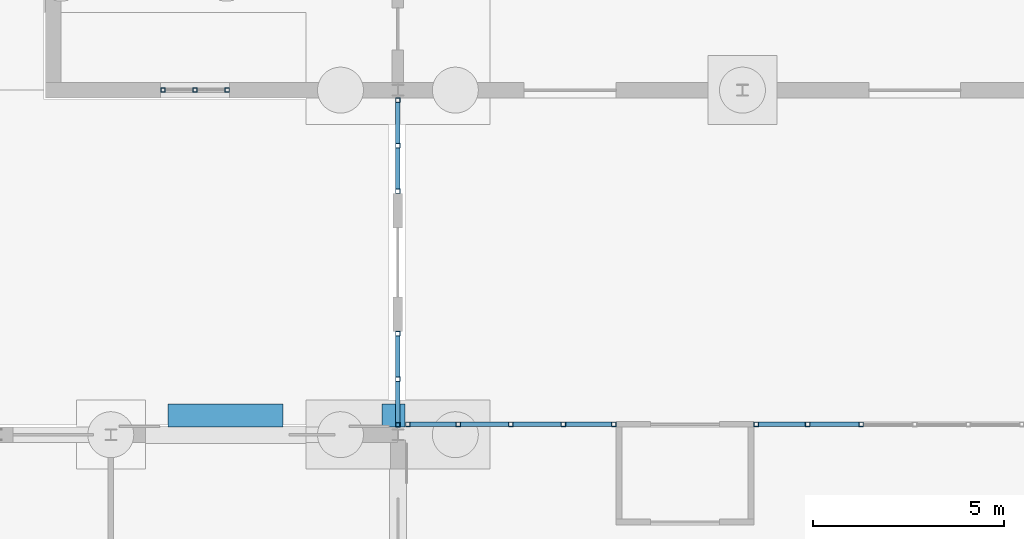
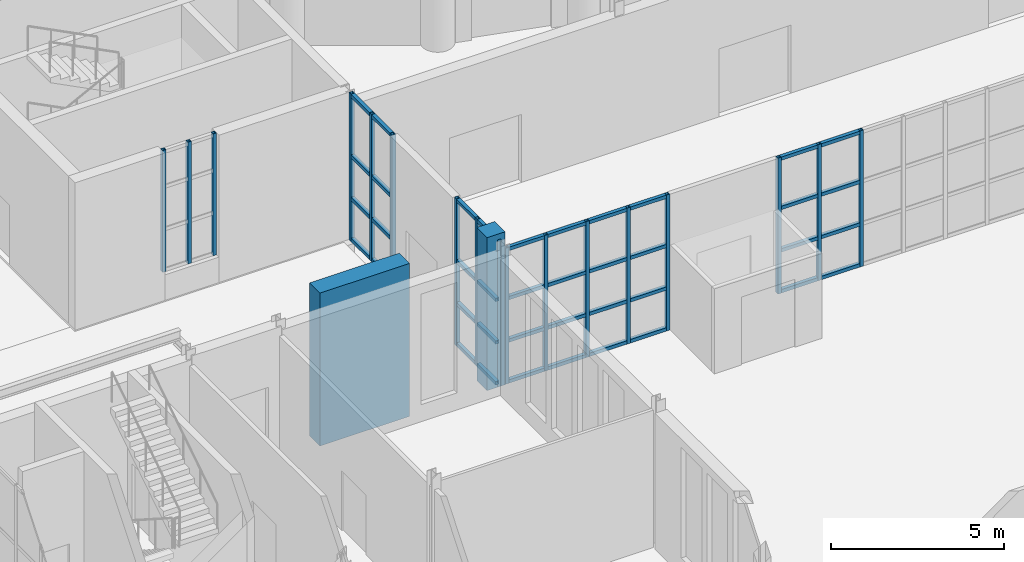
# One storey, part 58 of 168: 59 members, 5 elements without a shape of their own.
"""IFC4 building model written with IfcOpenShell, lengths in metres."""

from ifc_helpers import new_model, si_unit, direction, frame, origin, origin_2d, place, context, subcontext, project, spatial, rectangle, hollow_rectangle, extrude, material, material_profile, profile_set, type_object, element, aggregate, save


model = new_model("IFC4")

# Units and contexts
model_context = context("Model", 3, precision=1e-05, world=origin(), true_north=direction((0.0, 1.0)))
body_context = subcontext(model_context, "Body", "Model", "MODEL_VIEW")
ifc_project = project(units=[si_unit("LENGTHUNIT", "METRE"), si_unit("AREAUNIT", "SQUARE_METRE"), si_unit("VOLUMEUNIT", "CUBIC_METRE"), si_unit("PLANEANGLEUNIT", "RADIAN"), si_unit("MASSUNIT", "GRAM", prefix="KILO")], contexts=[model_context])

# Site, building, storey
site_placement = place(None, origin())
site = spatial("IfcSite", under=ifc_project, at=site_placement, CompositionType="ELEMENT")
building_placement = place(site_placement, origin())
building = spatial("IfcBuilding", under=site, at=building_placement, Name="Golden Quay Civic Hall", CompositionType="ELEMENT")
storey_placement = place(building_placement, origin())
storey = spatial("IfcBuildingStorey", under=building, at=storey_placement, Name="L00", CompositionType="ELEMENT", Elevation=0.0)

# Curtain wall, members
ifc_material_1 = material(Name="Fire-resisting glass and steel", Category="steel")
curtain_wall_type_1 = type_object("IfcCurtainWallType", Name="Fire-resisting glazed curtain wall EI 120", PredefinedType="NOTDEFINED", material=ifc_material_1)
curtain_wall_1_placement = place(storey_placement, origin())
curtain_wall_1 = element("IfcCurtainWall", 1, at=curtain_wall_1_placement, inside=storey, type_object=curtain_wall_type_1, Name="CW3 curtain wall", PredefinedType="NOTDEFINED")
ifc_material_2 = material(Name="Steel S355", Category="steel")
ifc_material_profile_1 = material_profile(ifc_material_2, hollow_rectangle(XDim=0.1201171875, YDim=0.1201171875, WallThickness=0.008056640625, at=origin_2d()), Name="SHS 120x120x8")
ifc_profile_set_1 = profile_set([ifc_material_profile_1], Name="Steel S355")
member_type_1 = type_object("IfcMemberType", Name="Fire-resisting steel mullion SHS 120x120x8", PredefinedType="MULLION", material=ifc_profile_set_1)
member_1_placement = place(storey_placement, frame((72.260009765625, 54.27001953125, 0.0), z_axis=(0.0, 0.0, 1.0), x_axis=(0.0, 1.0, 0.0)))
member_1 = element("IfcMember", 2, at=member_1_placement, type_object=member_type_1, Name="CW3 mullion 1", PredefinedType="MULLION", context=body_context, shape_type="SweptSolid", body=[
    extrude(hollow_rectangle(XDim=0.1201171875, YDim=0.1201171875, WallThickness=0.008056640625, at=origin_2d()), origin(), (0.0, 0.0, 1.0), 4.800048828125),
])
member_2_placement = place(storey_placement, frame((73.574951171875, 54.27001953125, 0.0), z_axis=(0.0, 0.0, 1.0), x_axis=(0.0, 1.0, 0.0)))
member_2 = element("IfcMember", 3, at=member_2_placement, type_object=member_type_1, Name="CW3 mullion 2", PredefinedType="MULLION", context=body_context, shape_type="SweptSolid", body=[
    extrude(hollow_rectangle(XDim=0.1201171875, YDim=0.1201171875, WallThickness=0.008056640625, at=origin_2d()), origin(), (0.0, 0.0, 1.0), 4.800048828125),
])
member_3_placement = place(storey_placement, frame((74.949951171875, 54.27001953125, 0.0), z_axis=(0.0, 0.0, 1.0), x_axis=(0.0, 1.0, 0.0)))
member_3 = element("IfcMember", 4, at=member_3_placement, type_object=member_type_1, Name="CW3 mullion 3", PredefinedType="MULLION", context=body_context, shape_type="SweptSolid", body=[
    extrude(hollow_rectangle(XDim=0.1201171875, YDim=0.1201171875, WallThickness=0.008056640625, at=origin_2d()), origin(), (0.0, 0.0, 1.0), 4.800048828125),
])
member_4_placement = place(storey_placement, frame((76.324951171875, 54.27001953125, 0.0), z_axis=(0.0, 0.0, 1.0), x_axis=(0.0, 1.0, 0.0)))
member_4 = element("IfcMember", 5, at=member_4_placement, type_object=member_type_1, Name="CW3 mullion 4", PredefinedType="MULLION", context=body_context, shape_type="SweptSolid", body=[
    extrude(hollow_rectangle(XDim=0.1201171875, YDim=0.1201171875, WallThickness=0.008056640625, at=origin_2d()), origin(), (0.0, 0.0, 1.0), 4.800048828125),
])
member_5_placement = place(storey_placement, frame((77.639892578125, 54.27001953125, 0.0), z_axis=(0.0, 0.0, 1.0), x_axis=(0.0, 1.0, 0.0)))
member_5 = element("IfcMember", 6, at=member_5_placement, type_object=member_type_1, Name="CW3 mullion 5", PredefinedType="MULLION", context=body_context, shape_type="SweptSolid", body=[
    extrude(hollow_rectangle(XDim=0.1201171875, YDim=0.1201171875, WallThickness=0.008056640625, at=origin_2d()), origin(), (0.0, 0.0, 1.0), 4.800048828125),
])

curtain_wall_2_placement = place(storey_placement, origin())
curtain_wall_2 = element("IfcCurtainWall", 7, at=curtain_wall_2_placement, inside=storey, type_object=curtain_wall_type_1, Name="CW3 curtain wall", PredefinedType="NOTDEFINED")
member_6_placement = place(storey_placement, frame((81.360107421875, 54.27001953125, 0.0), z_axis=(0.0, 0.0, 1.0), x_axis=(0.0, 1.0, 0.0)))
member_6 = element("IfcMember", 8, at=member_6_placement, type_object=member_type_1, Name="CW3 mullion 1", PredefinedType="MULLION", context=body_context, shape_type="SweptSolid", body=[
    extrude(hollow_rectangle(XDim=0.1201171875, YDim=0.1201171875, WallThickness=0.008056640625, at=origin_2d()), origin(), (0.0, 0.0, 1.0), 4.800048828125),
])
member_7_placement = place(storey_placement, frame((82.699951171875, 54.27001953125, 0.0), z_axis=(0.0, 0.0, 1.0), x_axis=(0.0, 1.0, 0.0)))
member_7 = element("IfcMember", 9, at=member_7_placement, type_object=member_type_1, Name="CW3 mullion 2", PredefinedType="MULLION", context=body_context, shape_type="SweptSolid", body=[
    extrude(hollow_rectangle(XDim=0.1201171875, YDim=0.1201171875, WallThickness=0.008056640625, at=origin_2d()), origin(), (0.0, 0.0, 1.0), 4.800048828125),
])
member_8_placement = place(storey_placement, frame((84.10009765625, 54.27001953125, 0.0), z_axis=(0.0, 0.0, 1.0), x_axis=(0.0, 1.0, 0.0)))
member_8 = element("IfcMember", 10, at=member_8_placement, type_object=member_type_1, Name="CW3 mullion 3", PredefinedType="MULLION", context=body_context, shape_type="SweptSolid", body=[
    extrude(hollow_rectangle(XDim=0.1201171875, YDim=0.1201171875, WallThickness=0.008056640625, at=origin_2d()), origin(), (0.0, 0.0, 1.0), 4.800048828125),
])

ifc_material_3 = material(Name="Fire-resisting glass and steel", Category="steel")
curtain_wall_type_2 = type_object("IfcCurtainWallType", Name="Fire-resisting glazed stair curtain wall EI 120", PredefinedType="NOTDEFINED", material=ifc_material_3)
curtain_wall_3_placement = place(storey_placement, origin())
curtain_wall_3 = element("IfcCurtainWall", 11, at=curtain_wall_3_placement, inside=storey, type_object=curtain_wall_type_2, Name="CW4 stair curtain wall", PredefinedType="NOTDEFINED")
ifc_material_4 = material(Name="Steel S355", Category="steel")
ifc_material_profile_2 = material_profile(ifc_material_4, hollow_rectangle(XDim=0.1201171875, YDim=0.1201171875, WallThickness=0.012451171875, at=origin_2d()), Name="SHS 120x120x12.5")
ifc_profile_set_2 = profile_set([ifc_material_profile_2], Name="Steel S355")
member_type_2 = type_object("IfcMemberType", Name="Fire-resisting steel stair mullion 120 x 120", PredefinedType="MULLION", material=ifc_profile_set_2)
member_9_placement = place(storey_placement, frame((65.860107421875, 63.0, 0.89990234375), z_axis=(0.0, 0.0, 1.0), x_axis=(0.0, 1.0, 0.0)))
member_9 = element("IfcMember", 12, at=member_9_placement, type_object=member_type_2, Name="CW4 mullion 1", PredefinedType="MULLION", context=body_context, shape_type="SweptSolid", body=[
    extrude(hollow_rectangle(XDim=0.1201171875, YDim=0.1201171875, WallThickness=0.012451171875, at=origin_2d()), origin(), (0.0, 0.0, 1.0), 4.300048828125),
])
member_10_placement = place(storey_placement, frame((66.699951171875, 63.0, 0.89990234375), z_axis=(0.0, 0.0, 1.0), x_axis=(0.0, 1.0, 0.0)))
member_10 = element("IfcMember", 13, at=member_10_placement, type_object=member_type_2, Name="CW4 mullion 2", PredefinedType="MULLION", context=body_context, shape_type="SweptSolid", body=[
    extrude(hollow_rectangle(XDim=0.1201171875, YDim=0.1201171875, WallThickness=0.012451171875, at=origin_2d()), origin(), (0.0, 0.0, 1.0), 4.300048828125),
])
member_11_placement = place(storey_placement, frame((67.5400390625, 63.0, 0.89990234375), z_axis=(0.0, 0.0, 1.0), x_axis=(0.0, 1.0, 0.0)))
member_11 = element("IfcMember", 14, at=member_11_placement, type_object=member_type_2, Name="CW4 mullion 3", PredefinedType="MULLION", context=body_context, shape_type="SweptSolid", body=[
    extrude(hollow_rectangle(XDim=0.1201171875, YDim=0.1201171875, WallThickness=0.012451171875, at=origin_2d()), origin(), (0.0, 0.0, 1.0), 4.300048828125),
])
aggregate(curtain_wall_3, [member_9, member_10, member_11])

# Member
ifc_material_5 = material(Name="Steel S355", Category="steel")
ifc_material_profile_3 = material_profile(ifc_material_5, hollow_rectangle(XDim=0.1201171875, YDim=0.1201171875, WallThickness=0.008056640625, at=origin_2d()), Name="SHS 120x120x8")
ifc_profile_set_3 = profile_set([ifc_material_profile_3], Name="Steel S355")
member_type_3 = type_object("IfcMemberType", Name="Fire-resisting steel transom SHS 120x120x8", PredefinedType="USERDEFINED", material=ifc_profile_set_3)
member_12_placement = place(storey_placement, frame((72.320068359375, 54.27001953125, 0.06005859375), z_axis=(1.0, 0.0, 0.0), x_axis=(0.0, 1.0, 0.0)))
member_12 = element("IfcMember", 15, at=member_12_placement, type_object=member_type_3, Name="CW3 transom 1.1", ObjectType="TRANSOM", PredefinedType="USERDEFINED", context=body_context, shape_type="SweptSolid", body=[
    extrude(hollow_rectangle(XDim=0.1201171875, YDim=0.1201171875, WallThickness=0.008056640625, at=origin_2d()), origin(), (0.0, 0.0, 1.0), 1.19482421875),
])

member_13_placement = place(storey_placement, frame((72.320068359375, 54.27001953125, 1.5), z_axis=(1.0, 0.0, 0.0), x_axis=(0.0, 1.0, 0.0)))
member_13 = element("IfcMember", 16, at=member_13_placement, type_object=member_type_3, Name="CW3 transom 1.2", ObjectType="TRANSOM", PredefinedType="USERDEFINED", context=body_context, shape_type="SweptSolid", body=[
    extrude(hollow_rectangle(XDim=0.1201171875, YDim=0.1201171875, WallThickness=0.008056640625, at=origin_2d()), origin(), (0.0, 0.0, 1.0), 1.19482421875),
])

member_14_placement = place(storey_placement, frame((72.320068359375, 54.27001953125, 3.0), z_axis=(1.0, 0.0, 0.0), x_axis=(0.0, 1.0, 0.0)))
member_14 = element("IfcMember", 17, at=member_14_placement, type_object=member_type_3, Name="CW3 transom 1.3", ObjectType="TRANSOM", PredefinedType="USERDEFINED", context=body_context, shape_type="SweptSolid", body=[
    extrude(hollow_rectangle(XDim=0.1201171875, YDim=0.1201171875, WallThickness=0.008056640625, at=origin_2d()), origin(), (0.0, 0.0, 1.0), 1.19482421875),
])

member_15_placement = place(storey_placement, frame((72.320068359375, 54.27001953125, 4.739990234375), z_axis=(1.0, 0.0, 0.0), x_axis=(0.0, 1.0, 0.0)))
member_15 = element("IfcMember", 18, at=member_15_placement, type_object=member_type_3, Name="CW3 transom 1.4", ObjectType="TRANSOM", PredefinedType="USERDEFINED", context=body_context, shape_type="SweptSolid", body=[
    extrude(hollow_rectangle(XDim=0.1201171875, YDim=0.1201171875, WallThickness=0.008056640625, at=origin_2d()), origin(), (0.0, 0.0, 1.0), 1.19482421875),
])

member_16_placement = place(storey_placement, frame((73.635009765625, 54.27001953125, 0.06005859375), z_axis=(1.0, 0.0, 0.0), x_axis=(0.0, 1.0, 0.0)))
member_16 = element("IfcMember", 19, at=member_16_placement, type_object=member_type_3, Name="CW3 transom 2.1", ObjectType="TRANSOM", PredefinedType="USERDEFINED", context=body_context, shape_type="SweptSolid", body=[
    extrude(hollow_rectangle(XDim=0.1201171875, YDim=0.1201171875, WallThickness=0.008056640625, at=origin_2d()), origin(), (0.0, 0.0, 1.0), 1.2548828125),
])

member_17_placement = place(storey_placement, frame((73.635009765625, 54.27001953125, 1.5), z_axis=(1.0, 0.0, 0.0), x_axis=(0.0, 1.0, 0.0)))
member_17 = element("IfcMember", 20, at=member_17_placement, type_object=member_type_3, Name="CW3 transom 2.2", ObjectType="TRANSOM", PredefinedType="USERDEFINED", context=body_context, shape_type="SweptSolid", body=[
    extrude(hollow_rectangle(XDim=0.1201171875, YDim=0.1201171875, WallThickness=0.008056640625, at=origin_2d()), origin(), (0.0, 0.0, 1.0), 1.2548828125),
])

member_18_placement = place(storey_placement, frame((73.635009765625, 54.27001953125, 3.0), z_axis=(1.0, 0.0, 0.0), x_axis=(0.0, 1.0, 0.0)))
member_18 = element("IfcMember", 21, at=member_18_placement, type_object=member_type_3, Name="CW3 transom 2.3", ObjectType="TRANSOM", PredefinedType="USERDEFINED", context=body_context, shape_type="SweptSolid", body=[
    extrude(hollow_rectangle(XDim=0.1201171875, YDim=0.1201171875, WallThickness=0.008056640625, at=origin_2d()), origin(), (0.0, 0.0, 1.0), 1.2548828125),
])

member_19_placement = place(storey_placement, frame((73.635009765625, 54.27001953125, 4.739990234375), z_axis=(1.0, 0.0, 0.0), x_axis=(0.0, 1.0, 0.0)))
member_19 = element("IfcMember", 22, at=member_19_placement, type_object=member_type_3, Name="CW3 transom 2.4", ObjectType="TRANSOM", PredefinedType="USERDEFINED", context=body_context, shape_type="SweptSolid", body=[
    extrude(hollow_rectangle(XDim=0.1201171875, YDim=0.1201171875, WallThickness=0.008056640625, at=origin_2d()), origin(), (0.0, 0.0, 1.0), 1.2548828125),
])

member_20_placement = place(storey_placement, frame((75.010009765625, 54.27001953125, 0.06005859375), z_axis=(1.0, 0.0, 0.0), x_axis=(0.0, 1.0, 0.0)))
member_20 = element("IfcMember", 23, at=member_20_placement, type_object=member_type_3, Name="CW3 transom 3.1", ObjectType="TRANSOM", PredefinedType="USERDEFINED", context=body_context, shape_type="SweptSolid", body=[
    extrude(hollow_rectangle(XDim=0.1201171875, YDim=0.1201171875, WallThickness=0.008056640625, at=origin_2d()), origin(), (0.0, 0.0, 1.0), 1.2548828125),
])

member_21_placement = place(storey_placement, frame((75.010009765625, 54.27001953125, 1.5), z_axis=(1.0, 0.0, 0.0), x_axis=(0.0, 1.0, 0.0)))
member_21 = element("IfcMember", 24, at=member_21_placement, type_object=member_type_3, Name="CW3 transom 3.2", ObjectType="TRANSOM", PredefinedType="USERDEFINED", context=body_context, shape_type="SweptSolid", body=[
    extrude(hollow_rectangle(XDim=0.1201171875, YDim=0.1201171875, WallThickness=0.008056640625, at=origin_2d()), origin(), (0.0, 0.0, 1.0), 1.2548828125),
])

member_22_placement = place(storey_placement, frame((75.010009765625, 54.27001953125, 3.0), z_axis=(1.0, 0.0, 0.0), x_axis=(0.0, 1.0, 0.0)))
member_22 = element("IfcMember", 25, at=member_22_placement, type_object=member_type_3, Name="CW3 transom 3.3", ObjectType="TRANSOM", PredefinedType="USERDEFINED", context=body_context, shape_type="SweptSolid", body=[
    extrude(hollow_rectangle(XDim=0.1201171875, YDim=0.1201171875, WallThickness=0.008056640625, at=origin_2d()), origin(), (0.0, 0.0, 1.0), 1.2548828125),
])

member_23_placement = place(storey_placement, frame((75.010009765625, 54.27001953125, 4.739990234375), z_axis=(1.0, 0.0, 0.0), x_axis=(0.0, 1.0, 0.0)))
member_23 = element("IfcMember", 26, at=member_23_placement, type_object=member_type_3, Name="CW3 transom 3.4", ObjectType="TRANSOM", PredefinedType="USERDEFINED", context=body_context, shape_type="SweptSolid", body=[
    extrude(hollow_rectangle(XDim=0.1201171875, YDim=0.1201171875, WallThickness=0.008056640625, at=origin_2d()), origin(), (0.0, 0.0, 1.0), 1.2548828125),
])

member_24_placement = place(storey_placement, frame((76.385009765625, 54.27001953125, 0.06005859375), z_axis=(1.0, 0.0, 0.0), x_axis=(0.0, 1.0, 0.0)))
member_24 = element("IfcMember", 27, at=member_24_placement, type_object=member_type_3, Name="CW3 transom 4.1", ObjectType="TRANSOM", PredefinedType="USERDEFINED", context=body_context, shape_type="SweptSolid", body=[
    extrude(hollow_rectangle(XDim=0.1201171875, YDim=0.1201171875, WallThickness=0.008056640625, at=origin_2d()), origin(), (0.0, 0.0, 1.0), 1.195068359375),
])

member_25_placement = place(storey_placement, frame((76.385009765625, 54.27001953125, 1.5), z_axis=(1.0, 0.0, 0.0), x_axis=(0.0, 1.0, 0.0)))
member_25 = element("IfcMember", 28, at=member_25_placement, type_object=member_type_3, Name="CW3 transom 4.2", ObjectType="TRANSOM", PredefinedType="USERDEFINED", context=body_context, shape_type="SweptSolid", body=[
    extrude(hollow_rectangle(XDim=0.1201171875, YDim=0.1201171875, WallThickness=0.008056640625, at=origin_2d()), origin(), (0.0, 0.0, 1.0), 1.195068359375),
])

member_26_placement = place(storey_placement, frame((76.385009765625, 54.27001953125, 3.0), z_axis=(1.0, 0.0, 0.0), x_axis=(0.0, 1.0, 0.0)))
member_26 = element("IfcMember", 29, at=member_26_placement, type_object=member_type_3, Name="CW3 transom 4.3", ObjectType="TRANSOM", PredefinedType="USERDEFINED", context=body_context, shape_type="SweptSolid", body=[
    extrude(hollow_rectangle(XDim=0.1201171875, YDim=0.1201171875, WallThickness=0.008056640625, at=origin_2d()), origin(), (0.0, 0.0, 1.0), 1.195068359375),
])

member_27_placement = place(storey_placement, frame((76.385009765625, 54.27001953125, 4.739990234375), z_axis=(1.0, 0.0, 0.0), x_axis=(0.0, 1.0, 0.0)))
member_27 = element("IfcMember", 30, at=member_27_placement, type_object=member_type_3, Name="CW3 transom 4.4", ObjectType="TRANSOM", PredefinedType="USERDEFINED", context=body_context, shape_type="SweptSolid", body=[
    extrude(hollow_rectangle(XDim=0.1201171875, YDim=0.1201171875, WallThickness=0.008056640625, at=origin_2d()), origin(), (0.0, 0.0, 1.0), 1.195068359375),
])

aggregate(curtain_wall_1, [member_1, member_2, member_3, member_4, member_5, member_12, member_13, member_14, member_15, member_16, member_17, member_18, member_19, member_20, member_21, member_22, member_23, member_24, member_25, member_26, member_27])

member_28_placement = place(storey_placement, frame((81.419921875, 54.27001953125, 0.06005859375), z_axis=(1.0, 0.0, 0.0), x_axis=(0.0, 1.0, 0.0)))
member_28 = element("IfcMember", 31, at=member_28_placement, type_object=member_type_3, Name="CW3 transom 1.1", ObjectType="TRANSOM", PredefinedType="USERDEFINED", context=body_context, shape_type="SweptSolid", body=[
    extrude(hollow_rectangle(XDim=0.1201171875, YDim=0.1201171875, WallThickness=0.008056640625, at=origin_2d()), origin(), (0.0, 0.0, 1.0), 1.219970703125),
])

member_29_placement = place(storey_placement, frame((81.419921875, 54.27001953125, 1.5), z_axis=(1.0, 0.0, 0.0), x_axis=(0.0, 1.0, 0.0)))
member_29 = element("IfcMember", 32, at=member_29_placement, type_object=member_type_3, Name="CW3 transom 1.2", ObjectType="TRANSOM", PredefinedType="USERDEFINED", context=body_context, shape_type="SweptSolid", body=[
    extrude(hollow_rectangle(XDim=0.1201171875, YDim=0.1201171875, WallThickness=0.008056640625, at=origin_2d()), origin(), (0.0, 0.0, 1.0), 1.219970703125),
])

member_30_placement = place(storey_placement, frame((81.419921875, 54.27001953125, 3.0), z_axis=(1.0, 0.0, 0.0), x_axis=(0.0, 1.0, 0.0)))
member_30 = element("IfcMember", 33, at=member_30_placement, type_object=member_type_3, Name="CW3 transom 1.3", ObjectType="TRANSOM", PredefinedType="USERDEFINED", context=body_context, shape_type="SweptSolid", body=[
    extrude(hollow_rectangle(XDim=0.1201171875, YDim=0.1201171875, WallThickness=0.008056640625, at=origin_2d()), origin(), (0.0, 0.0, 1.0), 1.219970703125),
])

member_31_placement = place(storey_placement, frame((81.419921875, 54.27001953125, 4.739990234375), z_axis=(1.0, 0.0, 0.0), x_axis=(0.0, 1.0, 0.0)))
member_31 = element("IfcMember", 34, at=member_31_placement, type_object=member_type_3, Name="CW3 transom 1.4", ObjectType="TRANSOM", PredefinedType="USERDEFINED", context=body_context, shape_type="SweptSolid", body=[
    extrude(hollow_rectangle(XDim=0.1201171875, YDim=0.1201171875, WallThickness=0.008056640625, at=origin_2d()), origin(), (0.0, 0.0, 1.0), 1.219970703125),
])

member_32_placement = place(storey_placement, frame((82.760009765625, 54.27001953125, 0.06005859375), z_axis=(1.0, 0.0, 0.0), x_axis=(0.0, 1.0, 0.0)))
member_32 = element("IfcMember", 35, at=member_32_placement, type_object=member_type_3, Name="CW3 transom 2.1", ObjectType="TRANSOM", PredefinedType="USERDEFINED", context=body_context, shape_type="SweptSolid", body=[
    extrude(hollow_rectangle(XDim=0.1201171875, YDim=0.1201171875, WallThickness=0.008056640625, at=origin_2d()), origin(), (0.0, 0.0, 1.0), 1.280029296875),
])

member_33_placement = place(storey_placement, frame((82.760009765625, 54.27001953125, 1.5), z_axis=(1.0, 0.0, 0.0), x_axis=(0.0, 1.0, 0.0)))
member_33 = element("IfcMember", 36, at=member_33_placement, type_object=member_type_3, Name="CW3 transom 2.2", ObjectType="TRANSOM", PredefinedType="USERDEFINED", context=body_context, shape_type="SweptSolid", body=[
    extrude(hollow_rectangle(XDim=0.1201171875, YDim=0.1201171875, WallThickness=0.008056640625, at=origin_2d()), origin(), (0.0, 0.0, 1.0), 1.280029296875),
])

member_34_placement = place(storey_placement, frame((82.760009765625, 54.27001953125, 3.0), z_axis=(1.0, 0.0, 0.0), x_axis=(0.0, 1.0, 0.0)))
member_34 = element("IfcMember", 37, at=member_34_placement, type_object=member_type_3, Name="CW3 transom 2.3", ObjectType="TRANSOM", PredefinedType="USERDEFINED", context=body_context, shape_type="SweptSolid", body=[
    extrude(hollow_rectangle(XDim=0.1201171875, YDim=0.1201171875, WallThickness=0.008056640625, at=origin_2d()), origin(), (0.0, 0.0, 1.0), 1.280029296875),
])

member_35_placement = place(storey_placement, frame((82.760009765625, 54.27001953125, 4.739990234375), z_axis=(1.0, 0.0, 0.0), x_axis=(0.0, 1.0, 0.0)))
member_35 = element("IfcMember", 38, at=member_35_placement, type_object=member_type_3, Name="CW3 transom 2.4", ObjectType="TRANSOM", PredefinedType="USERDEFINED", context=body_context, shape_type="SweptSolid", body=[
    extrude(hollow_rectangle(XDim=0.1201171875, YDim=0.1201171875, WallThickness=0.008056640625, at=origin_2d()), origin(), (0.0, 0.0, 1.0), 1.280029296875),
])

aggregate(curtain_wall_2, [member_6, member_7, member_8, member_28, member_29, member_30, member_31, member_32, member_33, member_34, member_35])

# Members
ifc_material_6 = material(Name="Concrete C40/50", Category="concrete")
ifc_material_profile_4 = material_profile(ifc_material_6, rectangle(XDim=3.0, YDim=0.60009765625, at=origin_2d()), Name="RC 3000x600")
ifc_profile_set_4 = profile_set([ifc_material_profile_4], Name="Concrete C40/50")
member_type_4 = type_object("IfcMemberType", Name="Precast concrete facade pier 3000 x 600", PredefinedType="POST", material=ifc_profile_set_4)
member_36_placement = place(storey_placement, frame((67.5, 54.5, 0.0), z_axis=(0.0, 0.0, 1.0), x_axis=(1.0, 0.0, 0.0)))
element("IfcMember", 39, at=member_36_placement, inside=storey, type_object=member_type_4, Name="Precast concrete facade pier 3000 x 600 L00 21", PredefinedType="POST", context=body_context, shape_type="SweptSolid", body=[
    extrude(rectangle(XDim=3.0, YDim=0.60009765625, at=origin_2d()), origin(), (0.0, 0.0, 1.0), 5.39990234375),
])
ifc_material_7 = material(Name="Concrete C40/50", Category="concrete")
ifc_material_profile_5 = material_profile(ifc_material_7, rectangle(XDim=0.60009765625, YDim=0.60009765625, at=origin_2d()), Name="RC 600x600")
ifc_profile_set_5 = profile_set([ifc_material_profile_5], Name="Concrete C40/50")
member_type_5 = type_object("IfcMemberType", Name="Precast concrete facade post 600 x 600", PredefinedType="POST", material=ifc_profile_set_5)
member_37_placement = place(storey_placement, frame((71.889892578125, 54.5, 0.0), z_axis=(0.0, 0.0, 1.0), x_axis=(1.0, 0.0, 0.0)))
element("IfcMember", 40, at=member_37_placement, inside=storey, type_object=member_type_5, Name="Precast concrete facade post 600 x 600 L00 8", PredefinedType="POST", context=body_context, shape_type="SweptSolid", body=[
    extrude(rectangle(XDim=0.60009765625, YDim=0.60009765625, at=origin_2d()), origin(), (0.0, 0.0, 1.0), 5.39990234375),
])

# Curtain wall, members
ifc_material_8 = material(Name="Glass and aluminium", Category="aluminium")
curtain_wall_type_3 = type_object("IfcCurtainWallType", Name="Glazed curtain wall 1500 module", PredefinedType="NOTDEFINED", material=ifc_material_8)
curtain_wall_4_placement = place(storey_placement, origin())
curtain_wall_4 = element("IfcCurtainWall", 41, at=curtain_wall_4_placement, inside=storey, type_object=curtain_wall_type_3, Name="CW1 curtain wall", PredefinedType="NOTDEFINED")
ifc_material_9 = material(Name="Steel S355", Category="steel")
ifc_material_profile_6 = material_profile(ifc_material_9, hollow_rectangle(XDim=0.1201171875, YDim=0.1201171875, WallThickness=0.008056640625, at=origin_2d()), Name="SHS 120x120x8")
ifc_profile_set_6 = profile_set([ifc_material_profile_6], Name="Steel S355")
member_type_6 = type_object("IfcMemberType", Name="Steel mullion SHS 120x120x8", PredefinedType="MULLION", material=ifc_profile_set_6)
member_38_placement = place(storey_placement, frame((72.0, 54.260009765625, 0.0), z_axis=(0.0, 0.0, 1.0), x_axis=(-1.0, 0.0, 0.0)))
member_38 = element("IfcMember", 42, at=member_38_placement, type_object=member_type_6, Name="CW1 mullion 1", PredefinedType="MULLION", context=body_context, shape_type="SweptSolid", body=[
    extrude(hollow_rectangle(XDim=0.1201171875, YDim=0.1201171875, WallThickness=0.008056640625, at=origin_2d()), origin(), (0.0, 0.0, 1.0), 5.199951171875),
])
member_39_placement = place(storey_placement, frame((72.0, 55.449951171875, 0.0), z_axis=(0.0, 0.0, 1.0), x_axis=(-1.0, 0.0, 0.0)))
member_39 = element("IfcMember", 43, at=member_39_placement, type_object=member_type_6, Name="CW1 mullion 2", PredefinedType="MULLION", context=body_context, shape_type="SweptSolid", body=[
    extrude(hollow_rectangle(XDim=0.1201171875, YDim=0.1201171875, WallThickness=0.008056640625, at=origin_2d()), origin(), (0.0, 0.0, 1.0), 5.199951171875),
])
member_40_placement = place(storey_placement, frame((72.0, 56.639892578125, 0.0), z_axis=(0.0, 0.0, 1.0), x_axis=(-1.0, 0.0, 0.0)))
member_40 = element("IfcMember", 44, at=member_40_placement, type_object=member_type_6, Name="CW1 mullion 3", PredefinedType="MULLION", context=body_context, shape_type="SweptSolid", body=[
    extrude(hollow_rectangle(XDim=0.1201171875, YDim=0.1201171875, WallThickness=0.008056640625, at=origin_2d()), origin(), (0.0, 0.0, 1.0), 5.199951171875),
])

curtain_wall_5_placement = place(storey_placement, origin())
curtain_wall_5 = element("IfcCurtainWall", 45, at=curtain_wall_5_placement, inside=storey, type_object=curtain_wall_type_3, Name="CW1 curtain wall", PredefinedType="NOTDEFINED")
member_41_placement = place(storey_placement, frame((72.0, 60.360107421875, 0.0), z_axis=(0.0, 0.0, 1.0), x_axis=(-1.0, 0.0, 0.0)))
member_41 = element("IfcMember", 46, at=member_41_placement, type_object=member_type_6, Name="CW1 mullion 1", PredefinedType="MULLION", context=body_context, shape_type="SweptSolid", body=[
    extrude(hollow_rectangle(XDim=0.1201171875, YDim=0.1201171875, WallThickness=0.008056640625, at=origin_2d()), origin(), (0.0, 0.0, 1.0), 5.199951171875),
])
member_42_placement = place(storey_placement, frame((72.0, 61.550048828125, 0.0), z_axis=(0.0, 0.0, 1.0), x_axis=(-1.0, 0.0, 0.0)))
member_42 = element("IfcMember", 47, at=member_42_placement, type_object=member_type_6, Name="CW1 mullion 2", PredefinedType="MULLION", context=body_context, shape_type="SweptSolid", body=[
    extrude(hollow_rectangle(XDim=0.1201171875, YDim=0.1201171875, WallThickness=0.008056640625, at=origin_2d()), origin(), (0.0, 0.0, 1.0), 5.199951171875),
])
member_43_placement = place(storey_placement, frame((72.0, 62.739990234375, 0.0), z_axis=(0.0, 0.0, 1.0), x_axis=(-1.0, 0.0, 0.0)))
member_43 = element("IfcMember", 48, at=member_43_placement, type_object=member_type_6, Name="CW1 mullion 3", PredefinedType="MULLION", context=body_context, shape_type="SweptSolid", body=[
    extrude(hollow_rectangle(XDim=0.1201171875, YDim=0.1201171875, WallThickness=0.008056640625, at=origin_2d()), origin(), (0.0, 0.0, 1.0), 5.199951171875),
])

# Member
ifc_material_10 = material(Name="Steel S355", Category="steel")
ifc_material_profile_7 = material_profile(ifc_material_10, hollow_rectangle(XDim=0.1201171875, YDim=0.1201171875, WallThickness=0.008056640625, at=origin_2d()), Name="SHS 120x120x8")
ifc_profile_set_7 = profile_set([ifc_material_profile_7], Name="Steel S355")
member_type_7 = type_object("IfcMemberType", Name="Steel transom SHS 120x120x8", PredefinedType="USERDEFINED", material=ifc_profile_set_7)
member_44_placement = place(storey_placement, frame((72.0, 54.320068359375, 0.06005859375), z_axis=(0.0, 1.0, 0.0), x_axis=(-1.0, 0.0, 0.0)))
member_44 = element("IfcMember", 49, at=member_44_placement, type_object=member_type_7, Name="CW1 transom 1.1", ObjectType="TRANSOM", PredefinedType="USERDEFINED", context=body_context, shape_type="SweptSolid", body=[
    extrude(hollow_rectangle(XDim=0.1201171875, YDim=0.1201171875, WallThickness=0.008056640625, at=origin_2d()), origin(), (0.0, 0.0, 1.0), 1.06982421875),
])

member_45_placement = place(storey_placement, frame((72.0, 54.320068359375, 1.5), z_axis=(0.0, 1.0, 0.0), x_axis=(-1.0, 0.0, 0.0)))
member_45 = element("IfcMember", 50, at=member_45_placement, type_object=member_type_7, Name="CW1 transom 1.2", ObjectType="TRANSOM", PredefinedType="USERDEFINED", context=body_context, shape_type="SweptSolid", body=[
    extrude(hollow_rectangle(XDim=0.1201171875, YDim=0.1201171875, WallThickness=0.008056640625, at=origin_2d()), origin(), (0.0, 0.0, 1.0), 1.06982421875),
])

member_46_placement = place(storey_placement, frame((72.0, 54.320068359375, 3.0), z_axis=(0.0, 1.0, 0.0), x_axis=(-1.0, 0.0, 0.0)))
member_46 = element("IfcMember", 51, at=member_46_placement, type_object=member_type_7, Name="CW1 transom 1.3", ObjectType="TRANSOM", PredefinedType="USERDEFINED", context=body_context, shape_type="SweptSolid", body=[
    extrude(hollow_rectangle(XDim=0.1201171875, YDim=0.1201171875, WallThickness=0.008056640625, at=origin_2d()), origin(), (0.0, 0.0, 1.0), 1.06982421875),
])

member_47_placement = place(storey_placement, frame((72.0, 54.320068359375, 5.139892578125), z_axis=(0.0, 1.0, 0.0), x_axis=(-1.0, 0.0, 0.0)))
member_47 = element("IfcMember", 52, at=member_47_placement, type_object=member_type_7, Name="CW1 transom 1.4", ObjectType="TRANSOM", PredefinedType="USERDEFINED", context=body_context, shape_type="SweptSolid", body=[
    extrude(hollow_rectangle(XDim=0.1201171875, YDim=0.1201171875, WallThickness=0.008056640625, at=origin_2d()), origin(), (0.0, 0.0, 1.0), 1.06982421875),
])

member_48_placement = place(storey_placement, frame((72.0, 55.510009765625, 0.06005859375), z_axis=(0.0, 1.0, 0.0), x_axis=(-1.0, 0.0, 0.0)))
member_48 = element("IfcMember", 53, at=member_48_placement, type_object=member_type_7, Name="CW1 transom 2.1", ObjectType="TRANSOM", PredefinedType="USERDEFINED", context=body_context, shape_type="SweptSolid", body=[
    extrude(hollow_rectangle(XDim=0.1201171875, YDim=0.1201171875, WallThickness=0.008056640625, at=origin_2d()), origin(), (0.0, 0.0, 1.0), 1.070068359375),
])

member_49_placement = place(storey_placement, frame((72.0, 55.510009765625, 1.5), z_axis=(0.0, 1.0, 0.0), x_axis=(-1.0, 0.0, 0.0)))
member_49 = element("IfcMember", 54, at=member_49_placement, type_object=member_type_7, Name="CW1 transom 2.2", ObjectType="TRANSOM", PredefinedType="USERDEFINED", context=body_context, shape_type="SweptSolid", body=[
    extrude(hollow_rectangle(XDim=0.1201171875, YDim=0.1201171875, WallThickness=0.008056640625, at=origin_2d()), origin(), (0.0, 0.0, 1.0), 1.070068359375),
])

member_50_placement = place(storey_placement, frame((72.0, 55.510009765625, 3.0), z_axis=(0.0, 1.0, 0.0), x_axis=(-1.0, 0.0, 0.0)))
member_50 = element("IfcMember", 55, at=member_50_placement, type_object=member_type_7, Name="CW1 transom 2.3", ObjectType="TRANSOM", PredefinedType="USERDEFINED", context=body_context, shape_type="SweptSolid", body=[
    extrude(hollow_rectangle(XDim=0.1201171875, YDim=0.1201171875, WallThickness=0.008056640625, at=origin_2d()), origin(), (0.0, 0.0, 1.0), 1.070068359375),
])

member_51_placement = place(storey_placement, frame((72.0, 55.510009765625, 5.139892578125), z_axis=(0.0, 1.0, 0.0), x_axis=(-1.0, 0.0, 0.0)))
member_51 = element("IfcMember", 56, at=member_51_placement, type_object=member_type_7, Name="CW1 transom 2.4", ObjectType="TRANSOM", PredefinedType="USERDEFINED", context=body_context, shape_type="SweptSolid", body=[
    extrude(hollow_rectangle(XDim=0.1201171875, YDim=0.1201171875, WallThickness=0.008056640625, at=origin_2d()), origin(), (0.0, 0.0, 1.0), 1.070068359375),
])

aggregate(curtain_wall_4, [member_38, member_39, member_40, member_44, member_45, member_46, member_47, member_48, member_49, member_50, member_51])

member_52_placement = place(storey_placement, frame((72.0, 60.419921875, 0.06005859375), z_axis=(0.0, 1.0, 0.0), x_axis=(-1.0, 0.0, 0.0)))
member_52 = element("IfcMember", 57, at=member_52_placement, type_object=member_type_7, Name="CW1 transom 1.1", ObjectType="TRANSOM", PredefinedType="USERDEFINED", context=body_context, shape_type="SweptSolid", body=[
    extrude(hollow_rectangle(XDim=0.1201171875, YDim=0.1201171875, WallThickness=0.008056640625, at=origin_2d()), origin(), (0.0, 0.0, 1.0), 1.070068359375),
])

member_53_placement = place(storey_placement, frame((72.0, 60.419921875, 1.5), z_axis=(0.0, 1.0, 0.0), x_axis=(-1.0, 0.0, 0.0)))
member_53 = element("IfcMember", 58, at=member_53_placement, type_object=member_type_7, Name="CW1 transom 1.2", ObjectType="TRANSOM", PredefinedType="USERDEFINED", context=body_context, shape_type="SweptSolid", body=[
    extrude(hollow_rectangle(XDim=0.1201171875, YDim=0.1201171875, WallThickness=0.008056640625, at=origin_2d()), origin(), (0.0, 0.0, 1.0), 1.070068359375),
])

member_54_placement = place(storey_placement, frame((72.0, 60.419921875, 3.0), z_axis=(0.0, 1.0, 0.0), x_axis=(-1.0, 0.0, 0.0)))
member_54 = element("IfcMember", 59, at=member_54_placement, type_object=member_type_7, Name="CW1 transom 1.3", ObjectType="TRANSOM", PredefinedType="USERDEFINED", context=body_context, shape_type="SweptSolid", body=[
    extrude(hollow_rectangle(XDim=0.1201171875, YDim=0.1201171875, WallThickness=0.008056640625, at=origin_2d()), origin(), (0.0, 0.0, 1.0), 1.070068359375),
])

member_55_placement = place(storey_placement, frame((72.0, 60.419921875, 5.139892578125), z_axis=(0.0, 1.0, 0.0), x_axis=(-1.0, 0.0, 0.0)))
member_55 = element("IfcMember", 60, at=member_55_placement, type_object=member_type_7, Name="CW1 transom 1.4", ObjectType="TRANSOM", PredefinedType="USERDEFINED", context=body_context, shape_type="SweptSolid", body=[
    extrude(hollow_rectangle(XDim=0.1201171875, YDim=0.1201171875, WallThickness=0.008056640625, at=origin_2d()), origin(), (0.0, 0.0, 1.0), 1.070068359375),
])

member_56_placement = place(storey_placement, frame((72.0, 61.610107421875, 0.06005859375), z_axis=(0.0, 1.0, 0.0), x_axis=(-1.0, 0.0, 0.0)))
member_56 = element("IfcMember", 61, at=member_56_placement, type_object=member_type_7, Name="CW1 transom 2.1", ObjectType="TRANSOM", PredefinedType="USERDEFINED", context=body_context, shape_type="SweptSolid", body=[
    extrude(hollow_rectangle(XDim=0.1201171875, YDim=0.1201171875, WallThickness=0.008056640625, at=origin_2d()), origin(), (0.0, 0.0, 1.0), 1.06982421875),
])

member_57_placement = place(storey_placement, frame((72.0, 61.610107421875, 1.5), z_axis=(0.0, 1.0, 0.0), x_axis=(-1.0, 0.0, 0.0)))
member_57 = element("IfcMember", 62, at=member_57_placement, type_object=member_type_7, Name="CW1 transom 2.2", ObjectType="TRANSOM", PredefinedType="USERDEFINED", context=body_context, shape_type="SweptSolid", body=[
    extrude(hollow_rectangle(XDim=0.1201171875, YDim=0.1201171875, WallThickness=0.008056640625, at=origin_2d()), origin(), (0.0, 0.0, 1.0), 1.06982421875),
])

member_58_placement = place(storey_placement, frame((72.0, 61.610107421875, 3.0), z_axis=(0.0, 1.0, 0.0), x_axis=(-1.0, 0.0, 0.0)))
member_58 = element("IfcMember", 63, at=member_58_placement, type_object=member_type_7, Name="CW1 transom 2.3", ObjectType="TRANSOM", PredefinedType="USERDEFINED", context=body_context, shape_type="SweptSolid", body=[
    extrude(hollow_rectangle(XDim=0.1201171875, YDim=0.1201171875, WallThickness=0.008056640625, at=origin_2d()), origin(), (0.0, 0.0, 1.0), 1.06982421875),
])

member_59_placement = place(storey_placement, frame((72.0, 61.610107421875, 5.139892578125), z_axis=(0.0, 1.0, 0.0), x_axis=(-1.0, 0.0, 0.0)))
member_59 = element("IfcMember", 64, at=member_59_placement, type_object=member_type_7, Name="CW1 transom 2.4", ObjectType="TRANSOM", PredefinedType="USERDEFINED", context=body_context, shape_type="SweptSolid", body=[
    extrude(hollow_rectangle(XDim=0.1201171875, YDim=0.1201171875, WallThickness=0.008056640625, at=origin_2d()), origin(), (0.0, 0.0, 1.0), 1.06982421875),
])

aggregate(curtain_wall_5, [member_41, member_42, member_43, member_52, member_53, member_54, member_55, member_56, member_57, member_58, member_59])

save(model, "model.ifc")
